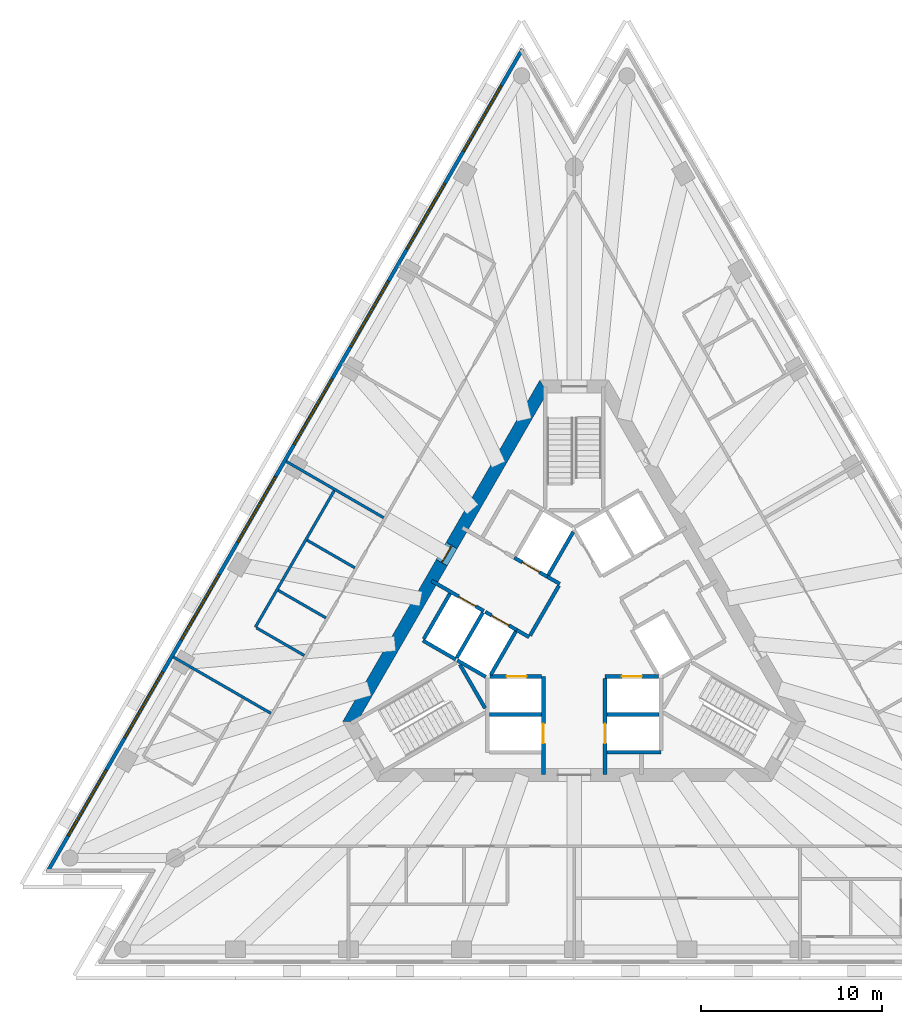
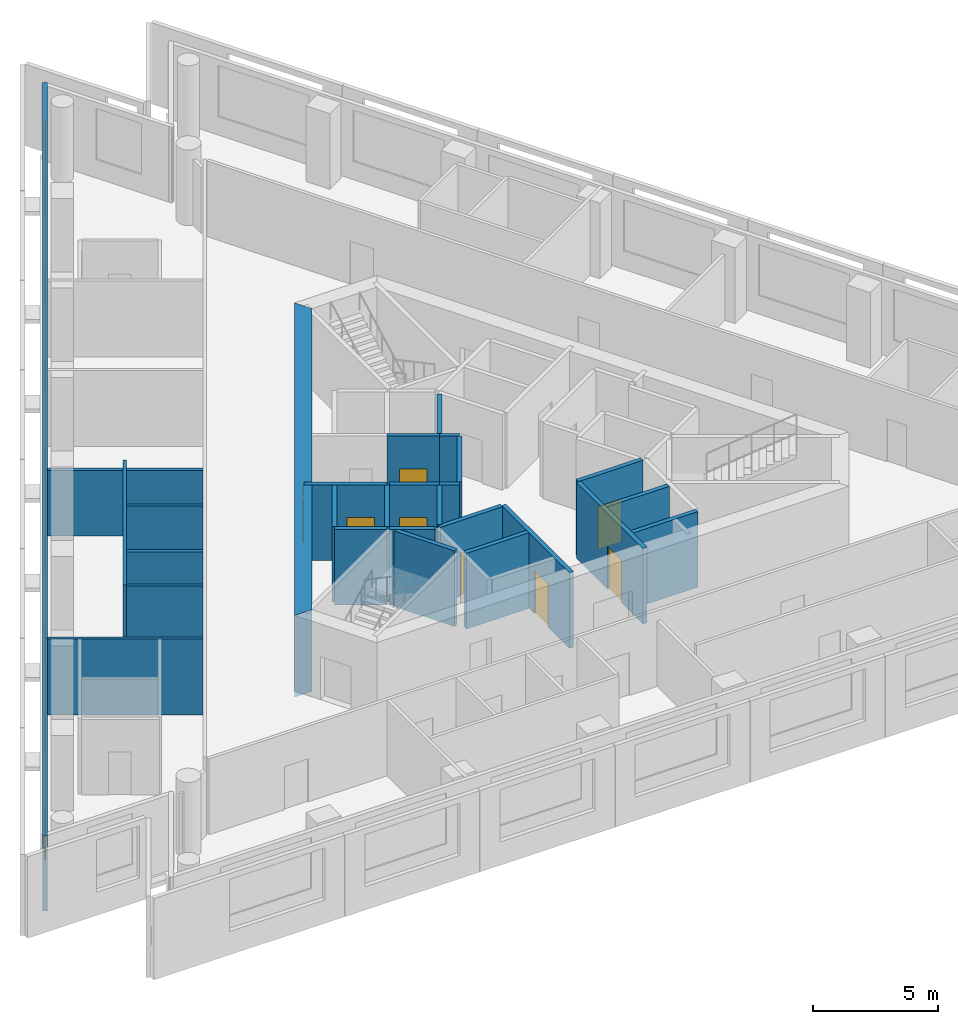
# One storey, part 4 of 10: 28 walls, 8 doors, 8 windows, 16 openings.
"""IFC4 building model written with IfcOpenShell, lengths in metres."""

import ifcopenshell
import ifcopenshell.guid

model = None  # the IFC model being written
_history = None  # IfcOwnerHistory: only IFC2X3 demands one
_inside = {}  # id of a spatial element -> (the spatial element, [elements in it])
_under = {}  # id of a project, library or spatial element -> (it, [spatial elements below it])
_declared = {}  # id of a project -> (the project, [libraries it declares])
_typed = {}  # id of a type object -> (the type object, [elements of that type])
_made_of = {}  # id of a material, layer set ... -> (it, [elements and type objects made of it])


def new_model(schema):
    """Start an empty IFC model of exactly this schema.

    Asked for "IFC4X3", IfcOpenShell would pick the latest addendum, in which some entities
    have other attributes; the version numbers below select the first issue.
    IFC2X3 requires an IfcOwnerHistory on every rooted entity: one is made here for all.
    """
    global model, _history
    if schema == "IFC4X3":
        model = ifcopenshell.file(schema_version=(4, 3, 0, 0))
    else:
        model = ifcopenshell.file(schema=schema)
    _inside.clear()
    _under.clear()
    _declared.clear()
    _typed.clear()
    _made_of.clear()
    _history = None
    if model.schema == "IFC2X3":
        org = make("IfcOrganization", Name="unknown")
        user = make(
            "IfcPersonAndOrganization",
            ThePerson=make("IfcPerson", FamilyName="unknown"),
            TheOrganization=org,
        )
        app = make(
            "IfcApplication",
            ApplicationDeveloper=org,
            Version="unknown",
            ApplicationFullName="unknown",
            ApplicationIdentifier="unknown",
        )
        _history = make(
            "IfcOwnerHistory",
            OwningUser=user,
            OwningApplication=app,
            ChangeAction="ADDED",
            CreationDate=0,
        )
    return model


def make(cls, **values):
    """One entity of the class cls with the attributes given. An attribute that is None is left unset."""
    return model.create_entity(
        cls, **{name: value for name, value in values.items() if value is not None}
    )


def rooted(cls, **values):
    """An entity with a GlobalId (a new one), such as an element, a storey or a relation."""
    return make(cls, GlobalId=ifcopenshell.guid.new(), OwnerHistory=_history, **values)


def si_unit(unit_type, name, prefix=None):
    """IfcSIUnit, for example si_unit("LENGTHUNIT", "METRE", prefix="MILLI")."""
    return make("IfcSIUnit", UnitType=unit_type, Prefix=prefix, Name=name)


def assignment(units):
    """IfcUnitAssignment: the units of a project."""
    return None if units is None else make("IfcUnitAssignment", Units=units)


def point(xyz):
    """IfcCartesianPoint."""
    return None if xyz is None else make("IfcCartesianPoint", Coordinates=xyz)


def direction(xyz):
    """IfcDirection."""
    return None if xyz is None else make("IfcDirection", DirectionRatios=xyz)


def frame(location, z_axis=None, x_axis=None):
    """IfcAxis2Placement3D, a coordinate frame: its origin and axes. An axis left out is left unset."""
    return make(
        "IfcAxis2Placement3D",
        Location=point(location),
        Axis=direction(z_axis),
        RefDirection=direction(x_axis),
    )


def frame_2d(location, x_axis=None):
    """IfcAxis2Placement2D, a coordinate frame in the plane: its origin and x axis."""
    return make(
        "IfcAxis2Placement2D", Location=point(location), RefDirection=direction(x_axis)
    )


def origin():
    """The frame at (0, 0, 0) with its axes left unset."""
    return frame((0.0, 0.0, 0.0))


def place(relative_to, where):
    """IfcLocalPlacement: puts the frame where relative to a parent placement (None: the world)."""
    return make(
        "IfcLocalPlacement", PlacementRelTo=relative_to, RelativePlacement=where
    )


def context(
    kind, dimensions, precision=None, world=None, true_north=None, identifier=None
):
    """IfcGeometricRepresentationContext, for example the 3D "Model" context."""
    return make(
        "IfcGeometricRepresentationContext",
        ContextIdentifier=identifier,
        ContextType=kind,
        CoordinateSpaceDimension=dimensions,
        Precision=precision,
        WorldCoordinateSystem=world,
        TrueNorth=true_north,
    )


def subcontext(parent, identifier, kind, view, scale=None):
    """IfcGeometricRepresentationSubContext, for example "Body" below "Model"."""
    return make(
        "IfcGeometricRepresentationSubContext",
        ContextIdentifier=identifier,
        ContextType=kind,
        ParentContext=parent,
        TargetScale=scale,
        TargetView=view,
    )


def project(units=None, contexts=None):
    """IfcProject with its units and contexts."""
    return rooted(
        "IfcProject",
        Name="project",
        RepresentationContexts=contexts,
        UnitsInContext=assignment(units),
    )


def spatial(cls, under=None, at=None, **own):
    """A site, building, storey or space (cls), placed at a placement, below another one or the project."""
    s = rooted(cls, ObjectPlacement=at, **own)
    if under is not None:
        _under.setdefault(under.id(), (under, []))[1].append(s)
    return s


def polyline(points):
    """IfcPolyline through the points."""
    return make("IfcPolyline", Points=[point(p) for p in points])


def profile(cls, at=None, kind="AREA", **sizes):
    """A parametric profile (cls). Its sizes go by their IFC names, for example OverallWidth=200.0."""
    return make(cls, ProfileType=kind, Position=at, **sizes)


def rectangle(**sizes):
    """IfcRectangleProfileDef."""
    return profile("IfcRectangleProfileDef", **sizes)


def outline(outer, holes=None, kind="AREA"):
    """IfcArbitraryClosedProfileDef: a profile drawn as a closed curve; with holes, ...WithVoids."""
    if holes is None:
        return make("IfcArbitraryClosedProfileDef", ProfileType=kind, OuterCurve=outer)
    return make(
        "IfcArbitraryProfileDefWithVoids",
        ProfileType=kind,
        OuterCurve=outer,
        InnerCurves=holes,
    )


def extrude(swept, where, along, depth):
    """IfcExtrudedAreaSolid: the profile swept, set in the frame where, extruded along a direction by depth."""
    return make(
        "IfcExtrudedAreaSolid",
        SweptArea=swept,
        Position=where,
        ExtrudedDirection=direction(along),
        Depth=depth,
    )


def shape(context_of_items, identifier, shape_type, items):
    """IfcShapeRepresentation: the items that make up one representation, for example the "Body"."""
    return make(
        "IfcShapeRepresentation",
        ContextOfItems=context_of_items,
        RepresentationIdentifier=identifier,
        RepresentationType=shape_type,
        Items=items,
    )


def material(Name=None, Category=None):
    """IfcMaterial."""
    return make("IfcMaterial", Name=Name, Category=Category)


def layer(
    of_material, thickness, ventilated=None, Name=None, Category=None, Priority=None
):
    """IfcMaterialLayer: one layer of a wall or slab, of a material (None: an air gap)."""
    return make(
        "IfcMaterialLayer",
        Material=of_material,
        LayerThickness=thickness,
        IsVentilated=ventilated,
        Name=Name,
        Category=Category,
        Priority=Priority,
    )


def layer_set(layers, Name=None):
    """IfcMaterialLayerSet."""
    return make("IfcMaterialLayerSet", MaterialLayers=layers, LayerSetName=Name)


def layer_usage(for_layer_set, set_direction, sense, offset, extent=None):
    """IfcMaterialLayerSetUsage: how a layer set lies in its element."""
    return make(
        "IfcMaterialLayerSetUsage",
        ForLayerSet=for_layer_set,
        LayerSetDirection=set_direction,
        DirectionSense=sense,
        OffsetFromReferenceLine=offset,
        ReferenceExtent=extent,
    )


def made_of(thing, what):
    """Note that an element or type object is made of a material, layer set ...; save() writes the relation."""
    if what is not None:
        _made_of.setdefault(what.id(), (what, []))[1].append(thing)
    return thing


def type_object(cls, material=None, **own):
    """A type object (cls), such as IfcWallType, which elements share."""
    return made_of(rooted(cls, **own), material)


def element(
    cls,
    number,
    at=None,
    inside=None,
    cuts=None,
    type_object=None,
    material=None,
    context=None,
    identifier="Body",
    shape_type=None,
    held_by="IfcProductDefinitionShape",
    body=None,
    shapes=None,
    **own,
):
    """One element of the class cls, such as IfcWall. Its Tag is "e" and its number.

    at: its placement. inside: the storey or other place that contains it. cuts: it is an
    opening in that element (IfcRelVoidsElement). A single representation is given by context,
    identifier, shape_type and body (its items); several are given by shapes. held_by: the class
    of the entity that holds the representations. save() writes the other relations.
    """
    e = rooted(cls, Tag="e%d" % number, ObjectPlacement=at, **own)
    if body is not None:
        shapes = [shape(context, identifier, shape_type, body)]
    if shapes is not None:
        e.Representation = make(held_by, Representations=shapes)
    if inside is not None:
        _inside.setdefault(inside.id(), (inside, []))[1].append(e)
    if cuts is not None:
        rooted(
            "IfcRelVoidsElement", RelatingBuildingElement=cuts, RelatedOpeningElement=e
        )
    if type_object is not None:
        _typed.setdefault(type_object.id(), (type_object, []))[1].append(e)
    return made_of(e, material)


def fill(opening, filler):
    """IfcRelFillsElement: the door or window that sits in an opening."""
    return rooted(
        "IfcRelFillsElement",
        RelatingOpeningElement=opening,
        RelatedBuildingElement=filler,
    )


def aggregate(whole, parts):
    """IfcRelAggregates: a whole, such as a stair, and the parts it consists of."""
    return rooted("IfcRelAggregates", RelatingObject=whole, RelatedObjects=parts)


def save(model, path):
    """Write the relations noted so far, then the file.

    IfcRelAggregates (storeys below a building ...), IfcRelContainedInSpatialStructure (elements
    in a storey), IfcRelDefinesByType, IfcRelAssociatesMaterial and IfcRelDeclares: one each for
    every whole, place, type object, material and project.
    """
    for whole, parts in _under.values():
        aggregate(whole, parts)
    for where, things in _inside.values():
        rooted(
            "IfcRelContainedInSpatialStructure",
            RelatedElements=things,
            RelatingStructure=where,
        )
    for kind, things in _typed.values():
        rooted("IfcRelDefinesByType", RelatedObjects=things, RelatingType=kind)
    for what, things in _made_of.values():
        rooted("IfcRelAssociatesMaterial", RelatedObjects=things, RelatingMaterial=what)
    for by, libraries in _declared.values():
        rooted("IfcRelDeclares", RelatingContext=by, RelatedDefinitions=libraries)
    model.write(path)


model = new_model("IFC4")

# Units and contexts
model_context = context("Model", 3, precision=1e-05, world=origin(), true_north=direction((0.0, 1.0)))
body_context = subcontext(model_context, "Body", "Model", "MODEL_VIEW")
ifc_project = project(units=[si_unit("LENGTHUNIT", "METRE"), si_unit("AREAUNIT", "SQUARE_METRE"), si_unit("VOLUMEUNIT", "CUBIC_METRE"), si_unit("PLANEANGLEUNIT", "RADIAN"), si_unit("MASSUNIT", "GRAM", prefix="KILO")], contexts=[model_context])

# Site, building, storey
site_placement = place(None, origin())
site = spatial("IfcSite", under=ifc_project, at=site_placement, CompositionType="ELEMENT")
building_placement = place(site_placement, origin())
building = spatial("IfcBuilding", under=site, at=building_placement, Name="Triada Interchange Tower", CompositionType="ELEMENT")
storey_placement = place(building_placement, frame((0.0, 0.0, 195.300048828125)))
storey = spatial("IfcBuildingStorey", under=building, at=storey_placement, Name="L45", CompositionType="ELEMENT", Elevation=195.300048828125)

# Walls
ifc_material_1 = material(Name="Concrete C30/37", Category="concrete")
ifc_layer_1 = layer(ifc_material_1, 0.199951171875)
ifc_layer_set_1 = layer_set([ifc_layer_1], Name="CORE WALL 200 EI 120")
wall_type_1 = type_object("IfcWallType", Name="CORE WALL 200 EI 120", PredefinedType="SOLIDWALL", material=ifc_layer_set_1)
wall_1_placement = place(storey_placement, frame((-8.3759765625, -0.70703125, 0.0), z_axis=(0.0, 0.0, 1.0), x_axis=(0.866067520717, -0.499927044236, 0.0)))
element("IfcWall", 1, at=wall_1_placement, inside=storey, type_object=wall_type_1, Name="Wall L44 44", PredefinedType="SOLIDWALL", context=body_context, shape_type="SweptSolid", body=[
    extrude(rectangle(XDim=2.100341796875, YDim=0.199951171875, at=frame_2d((1.05029296875, 0.0))), origin(), (0.0, 0.0, 1.0), 3.699951171875),
])
wall_2_placement = place(storey_placement, frame((-8.325927734375, -0.6201171875, 0.0), z_axis=(0.0, 0.0, 1.0), x_axis=(0.500023687443, 0.866011727401, 0.0)))
element("IfcWall", 2, at=wall_2_placement, inside=storey, type_object=wall_type_1, Name="Wall L44 45", PredefinedType="SOLIDWALL", context=body_context, shape_type="SweptSolid", body=[
    extrude(rectangle(XDim=2.899658203125, YDim=0.199951171875, at=frame_2d((1.44970703125, 0.0))), origin(), (0.0, 0.0, 1.0), 3.699951171875),
])
for number, where, z_axis, x_axis, name in (
    (3, (-4.699951171875, -4.800048828125, 0.0), (0.0, 0.0, 1.0), (1.0, 0.0, 0.0), "Wall L44 46"),
    (4, (1.800048828125, -4.800048828125, 0.0), (0.0, 0.0, 1.0), (1.0, 0.0, 0.0), "Wall L44 47"),
):
    element("IfcWall", number, at=place(storey_placement, frame(where, z_axis=z_axis, x_axis=x_axis)), inside=storey, type_object=wall_type_1, Name=name, PredefinedType="SOLIDWALL", context=body_context, shape_type="SweptSolid", body=[
        extrude(rectangle(XDim=2.89990234375, YDim=0.199951171875, at=frame_2d((1.449951171875, 0.0))), origin(), (0.0, 0.0, 1.0), 3.699951171875),
    ])
wall_3_placement = place(storey_placement, frame((1.800048828125, -6.89990234375, 0.0), z_axis=(0.0, 0.0, 1.0), x_axis=(1.0, 0.0, 0.0)))
element("IfcWall", 5, at=wall_3_placement, inside=storey, type_object=wall_type_1, Name="Wall L44 50", PredefinedType="SOLIDWALL", context=body_context, shape_type="SweptSolid", body=[
    extrude(rectangle(XDim=3.0, YDim=0.199951171875, at=frame_2d((1.5, 0.0))), origin(), (0.0, 0.0, 1.0), 3.699951171875),
])

# Wall, opening, door
wall_4_placement = place(storey_placement, frame((-1.699951171875, -8.1298828125, 0.0), z_axis=(0.0, 0.0, 1.0), x_axis=(0.0, 1.0, 0.0)))
wall_4 = element("IfcWall", 6, at=wall_4_placement, inside=storey, type_object=wall_type_1, Name="Wall L44 51", PredefinedType="SOLIDWALL", context=body_context, shape_type="SweptSolid", body=[
    extrude(rectangle(XDim=5.427001953125, YDim=0.199951171875, at=frame_2d((2.71337890625, 0.0))), origin(), (0.0, 0.0, 1.0), 3.699951171875),
])
opening_1_placement = place(wall_4_placement, frame((1.72998046875, 0.0, 0.0)))
opening_1 = element("IfcOpeningElement", 7, at=opening_1_placement, cuts=wall_4, Name="Opening LD-HR4", PredefinedType="OPENING", context=body_context, shape_type="SweptSolid", body=[
    extrude(rectangle(XDim=1.10009765625, YDim=2.10009765625, at=frame_2d((0.550048828125, 1.050048828125))), frame((0.0, 0.10986328125, 0.0), z_axis=(0.0, -1.0, 0.0), x_axis=(1.0, 0.0, 0.0)), (0.0, 0.0, 1.0), 0.219970703125),
])
ifc_material_2 = material(Name="Steel S235 door leaf", Category="steel")
door_type_1 = type_object("IfcDoorType", Name="LIFT LANDING DOOR 1100 EI 120", OperationType="SLIDING_TO_LEFT", PredefinedType="DOOR", material=ifc_material_2)
door_1_placement = place(opening_1_placement, origin())
door_1 = element("IfcDoor", 8, at=door_1_placement, inside=storey, type_object=door_type_1, Name="HR4 landing door L45", OperationType="SLIDING_TO_LEFT", OverallHeight=2.10009765625, OverallWidth=1.10009765625, PredefinedType="DOOR", context=body_context, shape_type="SweptSolid", body=[
    extrude(rectangle(XDim=1.10009765625, YDim=2.10009765625, at=frame_2d((0.550048828125, 1.050048828125))), frame((0.0, 0.02490234375, 0.0), z_axis=(0.0, -1.0, 0.0), x_axis=(1.0, 0.0, 0.0)), (0.0, 0.0, 1.0), 0.050048828125),
])
fill(opening_1, door_1)

wall_5_placement = place(storey_placement, frame((-4.676025390625, -2.699951171875, 0.0), z_axis=(0.0, 0.0, 1.0), x_axis=(1.0, 0.0, 0.0)))
wall_5 = element("IfcWall", 9, at=wall_5_placement, inside=storey, type_object=wall_type_1, Name="Wall L44 52", PredefinedType="SOLIDWALL", context=body_context, shape_type="SweptSolid", body=[
    extrude(rectangle(XDim=2.873046875, YDim=0.199951171875, at=frame_2d((1.4365234375, 0.0))), origin(), (0.0, 0.0, 1.0), 3.699951171875),
])
opening_2_placement = place(wall_5_placement, frame((0.93701171875, 0.0, 0.0)))
opening_2 = element("IfcOpeningElement", 10, at=opening_2_placement, cuts=wall_5, Name="Opening LD-HR3", PredefinedType="OPENING", context=body_context, shape_type="SweptSolid", body=[
    extrude(rectangle(XDim=1.10009765625, YDim=2.10009765625, at=frame_2d((0.550048828125, 1.050048828125))), frame((0.0, 0.10986328125, 0.0), z_axis=(0.0, -1.0, 0.0), x_axis=(1.0, 0.0, 0.0)), (0.0, 0.0, 1.0), 0.219970703125),
])
door_2_placement = place(opening_2_placement, origin())
door_2 = element("IfcDoor", 11, at=door_2_placement, inside=storey, type_object=door_type_1, Name="HR3 landing door L45", OperationType="SLIDING_TO_LEFT", OverallHeight=2.10009765625, OverallWidth=1.10009765625, PredefinedType="DOOR", context=body_context, shape_type="SweptSolid", body=[
    extrude(rectangle(XDim=1.10009765625, YDim=2.10009765625, at=frame_2d((0.550048828125, 1.050048828125))), frame((0.0, 0.02490234375, 0.0), z_axis=(0.0, -1.0, 0.0), x_axis=(1.0, 0.0, 0.0)), (0.0, 0.0, 1.0), 0.050048828125),
])
fill(opening_2, door_2)

wall_6_placement = place(storey_placement, frame((1.702880859375, -2.699951171875, 0.0), z_axis=(0.0, 0.0, 1.0), x_axis=(1.0, 0.0, 0.0)))
wall_6 = element("IfcWall", 12, at=wall_6_placement, inside=storey, type_object=wall_type_1, Name="Wall L44 53", PredefinedType="SOLIDWALL", context=body_context, shape_type="SweptSolid", body=[
    extrude(rectangle(XDim=2.97314453125, YDim=0.199951171875, at=frame_2d((1.486572265625, 0.0))), origin(), (0.0, 0.0, 1.0), 3.699951171875),
])
opening_3_placement = place(wall_6_placement, frame((0.93603515625, 0.0, 0.0)))
opening_3 = element("IfcOpeningElement", 13, at=opening_3_placement, cuts=wall_6, Name="Opening LD-HR1", PredefinedType="OPENING", context=body_context, shape_type="SweptSolid", body=[
    extrude(rectangle(XDim=1.10009765625, YDim=2.10009765625, at=frame_2d((0.550048828125, 1.050048828125))), frame((0.0, 0.10986328125, 0.0), z_axis=(0.0, -1.0, 0.0), x_axis=(1.0, 0.0, 0.0)), (0.0, 0.0, 1.0), 0.219970703125),
])
door_3_placement = place(opening_3_placement, origin())
door_3 = element("IfcDoor", 14, at=door_3_placement, inside=storey, type_object=door_type_1, Name="HR1 landing door L45", OperationType="SLIDING_TO_LEFT", OverallHeight=2.10009765625, OverallWidth=1.10009765625, PredefinedType="DOOR", context=body_context, shape_type="SweptSolid", body=[
    extrude(rectangle(XDim=1.10009765625, YDim=2.10009765625, at=frame_2d((0.550048828125, 1.050048828125))), frame((0.0, 0.02490234375, 0.0), z_axis=(0.0, -1.0, 0.0), x_axis=(1.0, 0.0, 0.0)), (0.0, 0.0, 1.0), 0.050048828125),
])
fill(opening_3, door_3)

wall_7_placement = place(storey_placement, frame((1.699951171875, -8.1298828125, 0.0), z_axis=(0.0, 0.0, 1.0), x_axis=(0.0, 1.0, 0.0)))
wall_7 = element("IfcWall", 15, at=wall_7_placement, inside=storey, type_object=wall_type_1, Name="Wall L44 58", PredefinedType="SOLIDWALL", context=body_context, shape_type="SweptSolid", body=[
    extrude(rectangle(XDim=5.326904296875, YDim=0.199951171875, at=frame_2d((2.66357421875, 0.0))), origin(), (0.0, 0.0, 1.0), 3.699951171875),
])
opening_4_placement = place(wall_7_placement, frame((1.72998046875, 0.0, 0.0)))
opening_4 = element("IfcOpeningElement", 16, at=opening_4_placement, cuts=wall_7, Name="Opening LD-HR2", PredefinedType="OPENING", context=body_context, shape_type="SweptSolid", body=[
    extrude(rectangle(XDim=1.10009765625, YDim=2.10009765625, at=frame_2d((0.550048828125, 1.050048828125))), frame((0.0, 0.10986328125, 0.0), z_axis=(0.0, -1.0, 0.0), x_axis=(1.0, 0.0, 0.0)), (0.0, 0.0, 1.0), 0.219970703125),
])
door_4_placement = place(opening_4_placement, origin())
door_4 = element("IfcDoor", 17, at=door_4_placement, inside=storey, type_object=door_type_1, Name="HR2 landing door L45", OperationType="SLIDING_TO_LEFT", OverallHeight=2.10009765625, OverallWidth=1.10009765625, PredefinedType="DOOR", context=body_context, shape_type="SweptSolid", body=[
    extrude(rectangle(XDim=1.10009765625, YDim=2.10009765625, at=frame_2d((0.550048828125, 1.050048828125))), frame((0.0, 0.02490234375, 0.0), z_axis=(0.0, -1.0, 0.0), x_axis=(1.0, 0.0, 0.0)), (0.0, 0.0, 1.0), 0.050048828125),
])
fill(opening_4, door_4)

ifc_layer_2 = layer(ifc_material_1, 0.199951171875)
ifc_layer_set_2 = layer_set([ifc_layer_2], Name="CORE WALL 200 EI 180")
wall_type_2 = type_object("IfcWallType", Name="CORE WALL 200 EI 180", PredefinedType="SOLIDWALL", material=ifc_layer_set_2)
wall_8_placement = place(storey_placement, frame((-7.89111328125, 2.593017578125, 0.0), z_axis=(0.0, 0.0, 1.0), x_axis=(0.866070917804, -0.499921159118, 0.0)))
wall_8 = element("IfcWall", 18, at=wall_8_placement, inside=storey, type_object=wall_type_2, Name="Wall L44 69", PredefinedType="SOLIDWALL", context=body_context, shape_type="SweptSolid", body=[
    extrude(rectangle(XDim=3.33251953125, YDim=0.199951171875, at=frame_2d((1.666259765625, 0.0))), origin(), (0.0, 0.0, 1.0), 3.699951171875),
])
opening_5_placement = place(wall_8_placement, frame((1.72998046875, 0.0, 0.0)))
opening_5 = element("IfcOpeningElement", 19, at=opening_5_placement, cuts=wall_8, Name="Opening LD-SV1", PredefinedType="OPENING", context=body_context, shape_type="SweptSolid", body=[
    extrude(rectangle(XDim=1.10009765625, YDim=2.10009765625, at=frame_2d((0.550048828125, 1.050048828125))), frame((0.0, 0.10986328125, 0.0), z_axis=(0.0, -1.0, 0.0), x_axis=(1.0, 0.0, 0.0)), (0.0, 0.0, 1.0), 0.219970703125),
])
door_5_placement = place(opening_5_placement, origin())
door_5 = element("IfcDoor", 20, at=door_5_placement, inside=storey, type_object=door_type_1, Name="SV1 landing door L45", OperationType="SLIDING_TO_LEFT", OverallHeight=2.10009765625, OverallWidth=1.10009765625, PredefinedType="DOOR", context=body_context, shape_type="SweptSolid", body=[
    extrude(rectangle(XDim=1.10009765625, YDim=2.10009765625, at=frame_2d((0.550048828125, 1.050048828125))), frame((0.0, 0.02490234375, 0.0), z_axis=(0.0, -1.0, 0.0), x_axis=(1.0, 0.0, 0.0)), (0.0, 0.0, 1.0), 0.050048828125),
])
fill(opening_5, door_5)

# Walls
wall_9_placement = place(storey_placement, frame((-3.18798828125, -0.1220703125, 0.0), z_axis=(0.0, 0.0, 1.0), x_axis=(0.865705793592, -0.50055317294, 0.0)))
element("IfcWall", 21, at=wall_9_placement, inside=storey, type_object=wall_type_2, Name="Wall L44 70", PredefinedType="SOLIDWALL", context=body_context, shape_type="SweptSolid", body=[
    extrude(rectangle(XDim=0.796875, YDim=0.199951171875, at=frame_2d((0.3984375, 0.0))), origin(), (0.0, 0.0, 1.0), 3.699951171875),
])
wall_10_placement = place(storey_placement, frame((-1.488037109375, 2.822021484375, 0.0), z_axis=(0.0, 0.0, 1.0), x_axis=(0.866236612152, -0.499633997809, 0.0)))
element("IfcWall", 22, at=wall_10_placement, inside=storey, type_object=wall_type_2, Name="Wall L44 72", PredefinedType="SOLIDWALL", context=body_context, shape_type="SweptSolid", body=[
    extrude(rectangle(XDim=0.79638671875, YDim=0.199951171875, at=frame_2d((0.398193359375, 0.0))), origin(), (0.0, 0.0, 1.0), 3.699951171875),
])
wall_11_placement = place(storey_placement, frame((-2.444091796875, -0.43310546875, 0.0), z_axis=(0.0, 0.0, 1.0), x_axis=(0.500035624827, 0.866004834804, 0.0)))
element("IfcWall", 23, at=wall_11_placement, inside=storey, type_object=wall_type_2, Name="Wall L44 75", PredefinedType="SOLIDWALL", context=body_context, shape_type="SweptSolid", body=[
    extrude(rectangle(XDim=3.194091796875, YDim=0.199951171875, at=frame_2d((1.59716796875, 0.0))), origin(), (0.0, 0.0, 1.0), 3.699951171875),
])
wall_12_placement = place(storey_placement, frame((-6.507080078125, -1.669921875, 0.0), z_axis=(0.0, 0.0, 1.0), x_axis=(0.50012328804, 0.865954211699, 0.0)))
element("IfcWall", 24, at=wall_12_placement, inside=storey, type_object=wall_type_2, Name="Shaft wall FF1 L44 76", PredefinedType="SOLIDWALL", context=body_context, shape_type="SweptSolid", body=[
    extrude(rectangle(XDim=2.899658203125, YDim=0.199951171875, at=frame_2d((1.44970703125, 0.0))), origin(), (0.0, 0.0, 1.0), 3.699951171875),
])
wall_13_placement = place(storey_placement, frame((-6.469970703125, -1.806884765625, 0.0), z_axis=(0.0, 0.0, 1.0), x_axis=(0.865883195159, -0.500246231712, 0.0)))
element("IfcWall", 25, at=wall_13_placement, inside=storey, type_object=wall_type_2, Name="Shaft wall FF1 L44 77", PredefinedType="SOLIDWALL", context=body_context, shape_type="SweptSolid", body=[
    extrude(rectangle(XDim=1.8154296875, YDim=0.199951171875, at=frame_2d((0.90771484375, 0.0))), origin(), (0.0, 0.0, 1.0), 3.699951171875),
])

# Wall, opening, door
wall_14_placement = place(storey_placement, frame((-4.922119140625, 0.87890625, 0.0), z_axis=(0.0, 0.0, 1.0), x_axis=(0.866073918653, -0.499915960366, 0.0)))
wall_14 = element("IfcWall", 26, at=wall_14_placement, inside=storey, type_object=wall_type_2, Name="Shaft wall FF1 L44 78", PredefinedType="SOLIDWALL", context=body_context, shape_type="SweptSolid", body=[
    extrude(rectangle(XDim=2.002197265625, YDim=0.199951171875, at=frame_2d((1.0009765625, 0.0))), origin(), (0.0, 0.0, 1.0), 3.699951171875),
])
opening_6_placement = place(wall_14_placement, frame((0.402099609375, 0.0, 0.0)))
opening_6 = element("IfcOpeningElement", 27, at=opening_6_placement, cuts=wall_14, Name="Opening LD-FF1", PredefinedType="OPENING", context=body_context, shape_type="SweptSolid", body=[
    extrude(rectangle(XDim=1.10009765625, YDim=2.10009765625, at=frame_2d((0.550048828125, 1.050048828125))), frame((0.0, 0.10986328125, 0.0), z_axis=(0.0, -1.0, 0.0), x_axis=(1.0, 0.0, 0.0)), (0.0, 0.0, 1.0), 0.219970703125),
])
door_6_placement = place(opening_6_placement, origin())
door_6 = element("IfcDoor", 28, at=door_6_placement, inside=storey, type_object=door_type_1, Name="FF1 landing door L45", OperationType="SLIDING_TO_LEFT", OverallHeight=2.10009765625, OverallWidth=1.10009765625, PredefinedType="DOOR", context=body_context, shape_type="SweptSolid", body=[
    extrude(rectangle(XDim=1.10009765625, YDim=2.10009765625, at=frame_2d((0.550048828125, 1.050048828125))), frame((0.0, 0.02490234375, 0.0), z_axis=(0.0, -1.0, 0.0), x_axis=(1.0, 0.0, 0.0)), (0.0, 0.0, 1.0), 0.050048828125),
])
fill(opening_6, door_6)

# Wall
wall_15_placement = place(storey_placement, frame((-4.618896484375, -2.60009765625, 0.0), z_axis=(0.0, 0.0, 1.0), x_axis=(0.50009492287, 0.865970593103, 0.0)))
element("IfcWall", 29, at=wall_15_placement, inside=storey, type_object=wall_type_2, Name="Shaft wall FF1 L44 79", PredefinedType="SOLIDWALL", context=body_context, shape_type="SweptSolid", body=[
    extrude(rectangle(XDim=2.76123046875, YDim=0.199951171875, at=frame_2d((1.380615234375, 0.0))), origin(), (0.0, 0.0, 1.0), 3.699951171875),
])

# Wall, opening, door
wall_16_placement = place(storey_placement, frame((-3.30908203125, 3.873046875, 0.0), z_axis=(0.0, 0.0, 1.0), x_axis=(0.866098583652, -0.499873227325, 0.0)))
wall_16 = element("IfcWall", 30, at=wall_16_placement, inside=storey, type_object=wall_type_2, Name="Shaft wall FF2 L44 80", PredefinedType="SOLIDWALL", context=body_context, shape_type="SweptSolid", body=[
    extrude(rectangle(XDim=2.1025390625, YDim=0.199951171875, at=frame_2d((1.05126953125, 0.0))), origin(), (0.0, 0.0, 1.0), 3.699951171875),
])
opening_7_placement = place(wall_16_placement, frame((0.501953125, 0.0, 0.0)))
opening_7 = element("IfcOpeningElement", 31, at=opening_7_placement, cuts=wall_16, Name="Opening LD-FF2", PredefinedType="OPENING", context=body_context, shape_type="SweptSolid", body=[
    extrude(rectangle(XDim=1.10009765625, YDim=2.10009765625, at=frame_2d((0.550048828125, 1.050048828125))), frame((0.0, 0.10986328125, 0.0), z_axis=(0.0, -1.0, 0.0), x_axis=(1.0, 0.0, 0.0)), (0.0, 0.0, 1.0), 0.219970703125),
])
door_7_placement = place(opening_7_placement, origin())
door_7 = element("IfcDoor", 32, at=door_7_placement, inside=storey, type_object=door_type_1, Name="FF2 landing door L45", OperationType="SLIDING_TO_LEFT", OverallHeight=2.10009765625, OverallWidth=1.10009765625, PredefinedType="DOOR", context=body_context, shape_type="SweptSolid", body=[
    extrude(rectangle(XDim=1.10009765625, YDim=2.10009765625, at=frame_2d((0.550048828125, 1.050048828125))), frame((0.0, 0.02490234375, 0.0), z_axis=(0.0, -1.0, 0.0), x_axis=(1.0, 0.0, 0.0)), (0.0, 0.0, 1.0), 0.050048828125),
])
fill(opening_7, door_7)

# Walls
wall_17_placement = place(storey_placement, frame((-1.43798828125, 2.908935546875, 0.0), z_axis=(0.0, 0.0, 1.0), x_axis=(0.499829630636, 0.866123744241, 0.0)))
element("IfcWall", 33, at=wall_17_placement, inside=storey, type_object=wall_type_2, Name="Shaft wall FF2 L44 83", PredefinedType="SOLIDWALL", context=body_context, shape_type="SweptSolid", body=[
    extrude(rectangle(XDim=2.7607421875, YDim=0.199951171875, at=frame_2d((1.38037109375, 0.0))), origin(), (0.0, 0.0, 1.0), 3.699951171875),
])
ifc_layer_3 = layer(ifc_material_1, 0.199951171875)
ifc_layer_set_3 = layer_set([ifc_layer_3], Name="CORE WALL 200 REI 240")
wall_type_3 = type_object("IfcWallType", Name="CORE WALL 200 REI 240", PredefinedType="SOLIDWALL", material=ifc_layer_set_3)
wall_18_placement = place(storey_placement, frame((-6.3291015625, -2.0380859375, 0.0), z_axis=(0.0, 0.0, 1.0), x_axis=(0.500200581029, -0.865909567298, 0.0)))
element("IfcWall", 34, at=wall_18_placement, inside=storey, type_object=wall_type_3, Name="Wall L44 89", PredefinedType="SOLIDWALL", context=body_context, shape_type="SweptSolid", body=[
    extrude(rectangle(XDim=2.799072265625, YDim=0.199951171875, at=frame_2d((1.3994140625, 0.0))), origin(), (0.0, 0.0, 1.0), 3.699951171875),
])

# Wall, opening, door
ifc_material_3 = material(Name="Concrete C50/60", Category="concrete")
ifc_layer_4 = layer(ifc_material_3, 0.699951171875)
ifc_layer_set_4 = layer_set([ifc_layer_4], Name="Core wall C 700")
wall_type_4 = type_object("IfcWallType", Name="Core wall C 700", PredefinedType="SHEAR", material=ifc_layer_set_4)
wall_19_placement = place(storey_placement, frame((-1.702880859375, 13.35009765625, -0.300048828125), z_axis=(0.0, 0.0, 1.0), x_axis=(-0.500011533395, -0.866018744874, 0.0)))
wall_19 = element("IfcWall", 35, at=wall_19_placement, inside=storey, type_object=wall_type_4, Name="Core wall WC02 L45", PredefinedType="SHEAR", context=body_context, shape_type="SweptSolid", body=[
    extrude(outline(polyline([(-0.201904296875, -0.35009765625), (1.781982421875, -0.35009765625), (3.76611328125, -0.35009765625), (5.75, -0.35009765625), (7.734130859375, -0.35009765625), (9.718017578125, -0.35009765625), (11.7021484375, -0.35009765625), (13.68603515625, -0.35009765625), (15.670166015625, -0.35009765625), (17.654052734375, -0.35009765625), (19.63818359375, -0.35009765625), (21.6220703125, -0.35009765625), (21.218017578125, 0.35009765625), (19.307373046875, 0.35009765625), (17.39697265625, 0.35009765625), (15.486328125, 0.35009765625), (13.57568359375, 0.35009765625), (11.665283203125, 0.35009765625), (9.754638671875, 0.35009765625), (7.84423828125, 0.35009765625), (5.93359375, 0.35009765625), (4.02294921875, 0.35009765625), (2.112548828125, 0.35009765625), (0.201904296875, 0.35009765625), (-0.201904296875, -0.35009765625)])), origin(), (0.0, 0.0, 1.0), 4.0),
])
opening_8_placement = place(wall_19_placement, frame((10.159912109375, 0.0, 0.300048828125)))
opening_8 = element("IfcOpeningElement", 36, at=opening_8_placement, cuts=wall_19, Name="Opening D44-43", PredefinedType="OPENING", context=body_context, shape_type="SweptSolid", body=[
    extrude(rectangle(XDim=1.10009765625, YDim=2.10009765625, at=frame_2d((0.550048828125, 1.050048828125))), frame((0.0, 0.360107421875, 0.0), z_axis=(0.0, -1.0, 0.0), x_axis=(1.0, 0.0, 0.0)), (0.0, 0.0, 1.0), 0.72021484375),
])
door_type_2 = type_object("IfcDoorType", Name="FIRE LOBBY DOOR 1100 EI2 90-C5S200", OperationType="NOTDEFINED", PredefinedType="DOOR", material=ifc_material_2)
door_8_placement = place(opening_8_placement, origin())
door_8 = element("IfcDoor", 37, at=door_8_placement, inside=storey, type_object=door_type_2, Name="Door D44-43 L45", OperationType="SINGLE_SWING_RIGHT", OverallHeight=2.10009765625, OverallWidth=1.10009765625, PredefinedType="DOOR", context=body_context, shape_type="SweptSolid", body=[
    extrude(rectangle(XDim=1.10009765625, YDim=2.10009765625, at=frame_2d((0.550048828125, 1.050048828125))), frame((0.0, 0.02490234375, 0.0), z_axis=(0.0, -1.0, 0.0), x_axis=(1.0, 0.0, 0.0)), (0.0, 0.0, 1.0), 0.050048828125),
])
fill(opening_8, door_8)

# Wall, openings, windows
ifc_material_4 = material(Name="Cement board")
ifc_layer_5 = layer(ifc_material_4, 0.02001953125, Name="Cement board cladding")
ifc_material_5 = material(Name="Sheathing board")
ifc_layer_6 = layer(ifc_material_5, 0.014892578125, Name="Sheathing board")
ifc_material_6 = material(Name="Mineral wool")
ifc_layer_7 = layer(ifc_material_6, 0.14990234375, Name="Mineral wool between steel studs")
ifc_material_7 = material(Name="Gypsum board")
ifc_layer_8 = layer(ifc_material_7, 0.014892578125, Name="Plasterboard lining")
ifc_layer_set_5 = layer_set([ifc_layer_5, ifc_layer_6, ifc_layer_7, ifc_layer_8], Name="External wall 200")
ifc_layer_usage = layer_usage(ifc_layer_set_5, "AXIS2", "POSITIVE", -0.10009765625)
wall_type_5 = type_object("IfcWallType", Name="External wall 200", PredefinedType="ELEMENTEDWALL", material=ifc_layer_set_5)
wall_20_placement = place(storey_placement, frame((-2.868896484375, 32.02001953125, 0.0), z_axis=(0.0, 0.0, 1.0), x_axis=(-0.500006930241, -0.866021402571, 0.0)))
wall_20 = element("IfcWall", 38, at=wall_20_placement, inside=storey, type_object=wall_type_5, material=ifc_layer_usage, Name="External wall L45 NW", PredefinedType="ELEMENTEDWALL", context=body_context, shape_type="SweptSolid", body=[
    extrude(rectangle(XDim=52.571533203125, YDim=0.199951171875, at=frame_2d((26.28564453125, 0.0))), origin(), (0.0, 0.0, 1.0), 3.699951171875),
])
opening_9_placement = place(wall_20_placement, frame((2.326904296875, 0.0, 0.89990234375)))
opening_9 = element("IfcOpeningElement", 39, at=opening_9_placement, cuts=wall_20, Name="Opening WC01", PredefinedType="OPENING", context=body_context, shape_type="SweptSolid", body=[
    extrude(rectangle(XDim=4.199951171875, YDim=2.5, at=frame_2d((2.10009765625, 1.25))), frame((0.0, 0.10986328125, 0.0), z_axis=(0.0, -1.0, 0.0), x_axis=(1.0, 0.0, 0.0)), (0.0, 0.0, 1.0), 0.219970703125),
])
opening_10_placement = place(wall_20_placement, frame((8.574951171875, 0.0, 0.89990234375)))
opening_10 = element("IfcOpeningElement", 40, at=opening_10_placement, cuts=wall_20, Name="Opening WC02", PredefinedType="OPENING", context=body_context, shape_type="SweptSolid", body=[
    extrude(rectangle(XDim=4.199951171875, YDim=2.5, at=frame_2d((2.10009765625, 1.25))), frame((0.0, 0.10986328125, 0.0), z_axis=(0.0, -1.0, 0.0), x_axis=(1.0, 0.0, 0.0)), (0.0, 0.0, 1.0), 0.219970703125),
])
opening_11_placement = place(wall_20_placement, frame((14.822998046875, 0.0, 0.89990234375)))
opening_11 = element("IfcOpeningElement", 41, at=opening_11_placement, cuts=wall_20, Name="Opening WC03", PredefinedType="OPENING", context=body_context, shape_type="SweptSolid", body=[
    extrude(rectangle(XDim=4.199951171875, YDim=2.5, at=frame_2d((2.10009765625, 1.25))), frame((0.0, 0.10986328125, 0.0), z_axis=(0.0, -1.0, 0.0), x_axis=(1.0, 0.0, 0.0)), (0.0, 0.0, 1.0), 0.219970703125),
])
opening_12_placement = place(wall_20_placement, frame((21.071044921875, 0.0, 0.89990234375)))
opening_12 = element("IfcOpeningElement", 42, at=opening_12_placement, cuts=wall_20, Name="Opening WC04", PredefinedType="OPENING", context=body_context, shape_type="SweptSolid", body=[
    extrude(rectangle(XDim=4.199951171875, YDim=2.5, at=frame_2d((2.10009765625, 1.25))), frame((0.0, 0.10986328125, 0.0), z_axis=(0.0, -1.0, 0.0), x_axis=(1.0, 0.0, 0.0)), (0.0, 0.0, 1.0), 0.219970703125),
])
opening_13_placement = place(wall_20_placement, frame((27.319091796875, 0.0, 0.89990234375)))
opening_13 = element("IfcOpeningElement", 43, at=opening_13_placement, cuts=wall_20, Name="Opening WC05", PredefinedType="OPENING", context=body_context, shape_type="SweptSolid", body=[
    extrude(rectangle(XDim=4.199951171875, YDim=2.5, at=frame_2d((2.10009765625, 1.25))), frame((0.0, 0.10986328125, 0.0), z_axis=(0.0, -1.0, 0.0), x_axis=(1.0, 0.0, 0.0)), (0.0, 0.0, 1.0), 0.219970703125),
])
opening_14_placement = place(wall_20_placement, frame((33.568115234375, 0.0, 0.89990234375)))
opening_14 = element("IfcOpeningElement", 44, at=opening_14_placement, cuts=wall_20, Name="Opening WC06", PredefinedType="OPENING", context=body_context, shape_type="SweptSolid", body=[
    extrude(rectangle(XDim=4.199951171875, YDim=2.5, at=frame_2d((2.10009765625, 1.25))), frame((0.0, 0.10986328125, 0.0), z_axis=(0.0, -1.0, 0.0), x_axis=(1.0, 0.0, 0.0)), (0.0, 0.0, 1.0), 0.219970703125),
])
opening_15_placement = place(wall_20_placement, frame((39.81591796875, 0.0, 0.89990234375)))
opening_15 = element("IfcOpeningElement", 45, at=opening_15_placement, cuts=wall_20, Name="Opening WC07", PredefinedType="OPENING", context=body_context, shape_type="SweptSolid", body=[
    extrude(rectangle(XDim=4.199951171875, YDim=2.5, at=frame_2d((2.10009765625, 1.25))), frame((0.0, 0.10986328125, 0.0), z_axis=(0.0, -1.0, 0.0), x_axis=(1.0, 0.0, 0.0)), (0.0, 0.0, 1.0), 0.219970703125),
])
opening_16_placement = place(wall_20_placement, frame((46.06396484375, 0.0, 0.89990234375)))
opening_16 = element("IfcOpeningElement", 46, at=opening_16_placement, cuts=wall_20, Name="Opening WC08", PredefinedType="OPENING", context=body_context, shape_type="SweptSolid", body=[
    extrude(rectangle(XDim=4.199951171875, YDim=2.5, at=frame_2d((2.10009765625, 1.25))), frame((0.0, 0.10986328125, 0.0), z_axis=(0.0, -1.0, 0.0), x_axis=(1.0, 0.0, 0.0)), (0.0, 0.0, 1.0), 0.219970703125),
])
ifc_material_8 = material(Name="Double glazed aluminium window", Category="aluminium")
window_type = type_object("IfcWindowType", Name="Ribbon window C face", PartitioningType="SINGLE_PANEL", PredefinedType="WINDOW", material=ifc_material_8)
window_1_placement = place(opening_9_placement, origin())
window_1 = element("IfcWindow", 47, at=window_1_placement, inside=storey, type_object=window_type, Name="Window L45 NW 1", OverallHeight=2.5, OverallWidth=4.199951171875, PartitioningType="SINGLE_PANEL", PredefinedType="WINDOW", context=body_context, shape_type="SweptSolid", body=[
    extrude(rectangle(XDim=4.199951171875, YDim=2.5, at=frame_2d((2.10009765625, 1.25))), frame((0.0, 0.030029296875, 0.0), z_axis=(0.0, -1.0, 0.0), x_axis=(1.0, 0.0, 0.0)), (0.0, 0.0, 1.0), 0.06005859375),
])
fill(opening_9, window_1)
window_2_placement = place(opening_10_placement, origin())
window_2 = element("IfcWindow", 48, at=window_2_placement, inside=storey, type_object=window_type, Name="Window L45 NW 2", OverallHeight=2.5, OverallWidth=4.199951171875, PartitioningType="SINGLE_PANEL", PredefinedType="WINDOW", context=body_context, shape_type="SweptSolid", body=[
    extrude(rectangle(XDim=4.199951171875, YDim=2.5, at=frame_2d((2.10009765625, 1.25))), frame((0.0, 0.030029296875, 0.0), z_axis=(0.0, -1.0, 0.0), x_axis=(1.0, 0.0, 0.0)), (0.0, 0.0, 1.0), 0.06005859375),
])
fill(opening_10, window_2)
window_3_placement = place(opening_11_placement, origin())
window_3 = element("IfcWindow", 49, at=window_3_placement, inside=storey, type_object=window_type, Name="Window L45 NW 3", OverallHeight=2.5, OverallWidth=4.199951171875, PartitioningType="SINGLE_PANEL", PredefinedType="WINDOW", context=body_context, shape_type="SweptSolid", body=[
    extrude(rectangle(XDim=4.199951171875, YDim=2.5, at=frame_2d((2.10009765625, 1.25))), frame((0.0, 0.030029296875, 0.0), z_axis=(0.0, -1.0, 0.0), x_axis=(1.0, 0.0, 0.0)), (0.0, 0.0, 1.0), 0.06005859375),
])
fill(opening_11, window_3)
window_4_placement = place(opening_12_placement, origin())
window_4 = element("IfcWindow", 50, at=window_4_placement, inside=storey, type_object=window_type, Name="Window L45 NW 4", OverallHeight=2.5, OverallWidth=4.199951171875, PartitioningType="SINGLE_PANEL", PredefinedType="WINDOW", context=body_context, shape_type="SweptSolid", body=[
    extrude(rectangle(XDim=4.199951171875, YDim=2.5, at=frame_2d((2.10009765625, 1.25))), frame((0.0, 0.030029296875, 0.0), z_axis=(0.0, -1.0, 0.0), x_axis=(1.0, 0.0, 0.0)), (0.0, 0.0, 1.0), 0.06005859375),
])
fill(opening_12, window_4)
window_5_placement = place(opening_13_placement, origin())
window_5 = element("IfcWindow", 51, at=window_5_placement, inside=storey, type_object=window_type, Name="Window L45 NW 5", OverallHeight=2.5, OverallWidth=4.199951171875, PartitioningType="SINGLE_PANEL", PredefinedType="WINDOW", context=body_context, shape_type="SweptSolid", body=[
    extrude(rectangle(XDim=4.199951171875, YDim=2.5, at=frame_2d((2.10009765625, 1.25))), frame((0.0, 0.030029296875, 0.0), z_axis=(0.0, -1.0, 0.0), x_axis=(1.0, 0.0, 0.0)), (0.0, 0.0, 1.0), 0.06005859375),
])
fill(opening_13, window_5)
window_6_placement = place(opening_14_placement, origin())
window_6 = element("IfcWindow", 52, at=window_6_placement, inside=storey, type_object=window_type, Name="Window L45 NW 6", OverallHeight=2.5, OverallWidth=4.199951171875, PartitioningType="SINGLE_PANEL", PredefinedType="WINDOW", context=body_context, shape_type="SweptSolid", body=[
    extrude(rectangle(XDim=4.199951171875, YDim=2.5, at=frame_2d((2.10009765625, 1.25))), frame((0.0, 0.030029296875, 0.0), z_axis=(0.0, -1.0, 0.0), x_axis=(1.0, 0.0, 0.0)), (0.0, 0.0, 1.0), 0.06005859375),
])
fill(opening_14, window_6)
window_7_placement = place(opening_15_placement, origin())
window_7 = element("IfcWindow", 53, at=window_7_placement, inside=storey, type_object=window_type, Name="Window L45 NW 7", OverallHeight=2.5, OverallWidth=4.199951171875, PartitioningType="SINGLE_PANEL", PredefinedType="WINDOW", context=body_context, shape_type="SweptSolid", body=[
    extrude(rectangle(XDim=4.199951171875, YDim=2.5, at=frame_2d((2.10009765625, 1.25))), frame((0.0, 0.030029296875, 0.0), z_axis=(0.0, -1.0, 0.0), x_axis=(1.0, 0.0, 0.0)), (0.0, 0.0, 1.0), 0.06005859375),
])
fill(opening_15, window_7)
window_8_placement = place(opening_16_placement, origin())
window_8 = element("IfcWindow", 54, at=window_8_placement, inside=storey, type_object=window_type, Name="Window L45 NW 8", OverallHeight=2.5, OverallWidth=4.199951171875, PartitioningType="SINGLE_PANEL", PredefinedType="WINDOW", context=body_context, shape_type="SweptSolid", body=[
    extrude(rectangle(XDim=4.199951171875, YDim=2.5, at=frame_2d((2.10009765625, 1.25))), frame((0.0, 0.030029296875, 0.0), z_axis=(0.0, -1.0, 0.0), x_axis=(1.0, 0.0, 0.0)), (0.0, 0.0, 1.0), 0.06005859375),
])
fill(opening_16, window_8)

# Walls
ifc_material_9 = material(Name="Gypsum board partition")
ifc_layer_9 = layer(ifc_material_9, 0.14990234375)
ifc_layer_set_6 = layer_set([ifc_layer_9], Name="PARTITION 150 EI 180")
wall_type_6 = type_object("IfcWallType", Name="PARTITION 150 EI 180", PredefinedType="PARTITIONING", material=ifc_layer_set_6)
wall_21_placement = place(storey_placement, frame((-22.196044921875, -1.614990234375, 0.0), z_axis=(0.0, 0.0, 1.0), x_axis=(0.86601944389, -0.500010322698, 0.0)))
element("IfcWall", 55, at=wall_21_placement, inside=storey, type_object=wall_type_6, Name="Wall L44 3", PredefinedType="PARTITIONING", context=body_context, shape_type="SweptSolid", body=[
    extrude(rectangle(XDim=6.239990234375, YDim=0.14990234375, at=frame_2d((3.1201171875, 0.0))), origin(), (0.0, 0.0, 1.0), 3.699951171875),
])
wall_22_placement = place(storey_placement, frame((-17.64794921875, 0.029052734375, 0.0), z_axis=(0.0, 0.0, 1.0), x_axis=(0.500054279689, 0.865994063124, 0.0)))
element("IfcWall", 56, at=wall_22_placement, inside=storey, type_object=wall_type_6, Name="Wall L44 6", PredefinedType="PARTITIONING", context=body_context, shape_type="SweptSolid", body=[
    extrude(rectangle(XDim=8.72509765625, YDim=0.14990234375, at=frame_2d((4.362548828125, 0.0))), origin(), (0.0, 0.0, 1.0), 3.699951171875),
])
for number, where, z_axis, x_axis, name in (
    (57, (-17.5830078125, -0.009033203125, 0.0), (0.0, 0.0, 1.0), (0.866056215479, -0.499946628782, 0.0), "Wall L44 7"),
    (58, (-16.383056640625, 2.069091796875, 0.0), (0.0, 0.0, 1.0), (0.866180252056, -0.499731698962, 0.0), "Wall L44 8"),
):
    element("IfcWall", number, at=place(storey_placement, frame(where, z_axis=z_axis, x_axis=x_axis)), inside=storey, type_object=wall_type_6, Name=name, PredefinedType="PARTITIONING", context=body_context, shape_type="SweptSolid", body=[
        extrude(rectangle(XDim=3.048095703125, YDim=0.14990234375, at=frame_2d((1.52392578125, 0.0))), origin(), (0.0, 0.0, 1.0), 3.699951171875),
    ])
wall_23_placement = place(storey_placement, frame((-15.947021484375, 9.2080078125, 0.0), z_axis=(0.0, 0.0, 1.0), x_axis=(0.86601944389, -0.500010322698, 0.0)))
element("IfcWall", 59, at=wall_23_placement, inside=storey, type_object=wall_type_6, Name="Wall L44 9", PredefinedType="PARTITIONING", context=body_context, shape_type="SweptSolid", body=[
    extrude(rectangle(XDim=6.239990234375, YDim=0.14990234375, at=frame_2d((3.1201171875, 0.0))), origin(), (0.0, 0.0, 1.0), 3.199951171875),
])
wall_24_placement = place(storey_placement, frame((-14.782958984375, 4.841064453125, 0.0), z_axis=(0.0, 0.0, 1.0), x_axis=(0.866021535541, -0.500006699934, 0.0)))
element("IfcWall", 60, at=wall_24_placement, inside=storey, type_object=wall_type_6, Name="Wall L44 11", PredefinedType="PARTITIONING", context=body_context, shape_type="SweptSolid", body=[
    extrude(rectangle(XDim=3.04833984375, YDim=0.14990234375, at=frame_2d((1.524169921875, 0.0))), origin(), (0.0, 0.0, 1.0), 3.699951171875),
])

save(model, "model.ifc")
